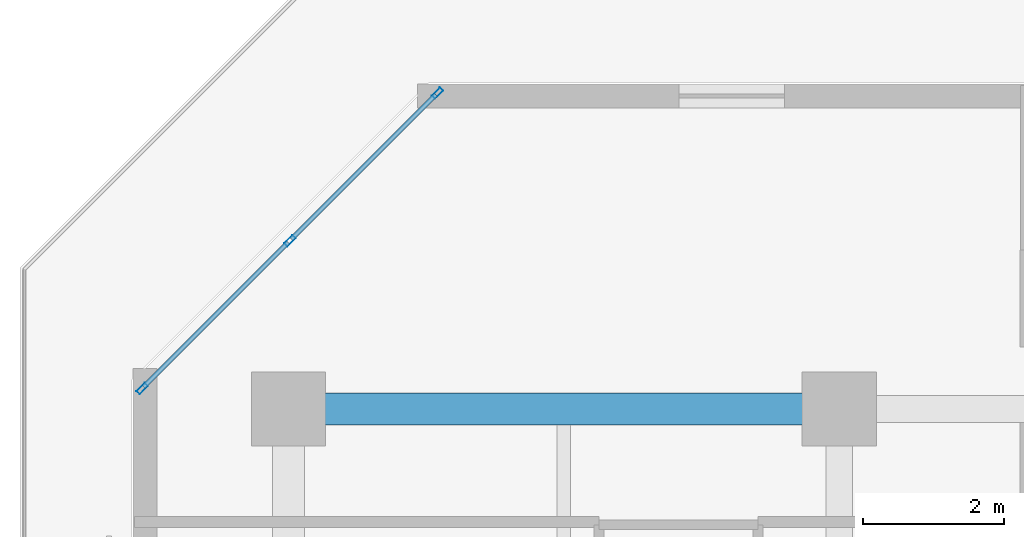
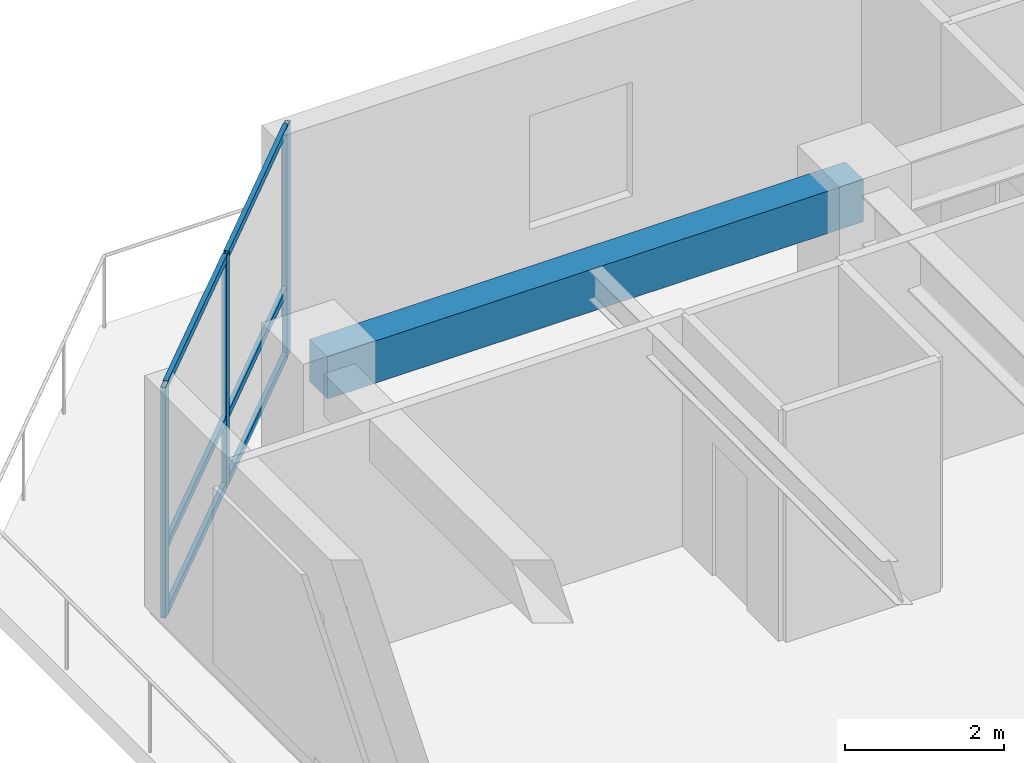
# One storey, part 3 of 11: 9 members, 1 beam, 1 element without a shape of its own.
"""IFC4 building model written with IfcOpenShell, lengths in metres."""

from ifc_helpers import new_model, si_unit, direction, frame, origin, origin_2d, place, context, subcontext, project, spatial, rectangle, hollow_rectangle, extrude, material, layer, layer_set, material_profile, profile_set, type_object, element, aggregate, save


model = new_model("IFC4")

# Units and contexts
model_context = context("Model", 3, precision=1e-05, world=origin(), true_north=direction((0.0, 1.0)))
body_context = subcontext(model_context, "Body", "Model", "MODEL_VIEW")
ifc_project = project(units=[si_unit("LENGTHUNIT", "METRE"), si_unit("AREAUNIT", "SQUARE_METRE"), si_unit("VOLUMEUNIT", "CUBIC_METRE"), si_unit("PLANEANGLEUNIT", "RADIAN"), si_unit("MASSUNIT", "GRAM", prefix="KILO")], contexts=[model_context])

# Site, building, storey
site_placement = place(None, origin())
site = spatial("IfcSite", under=ifc_project, at=site_placement, CompositionType="ELEMENT")
building_placement = place(site_placement, origin())
building = spatial("IfcBuilding", under=site, at=building_placement, Name="Kestravale Grand Hotel", CompositionType="ELEMENT")
storey_placement = place(building_placement, frame((0.0, 0.0, 134.60009765625)))
storey = spatial("IfcBuildingStorey", under=building, at=storey_placement, Name="L33", CompositionType="ELEMENT", Elevation=134.60009765625)

# Beam
ifc_material_1 = material(Name="Concrete f'c 45 MPa", Category="concrete")
ifc_material_profile_1 = material_profile(ifc_material_1, rectangle(XDim=0.449951171875, YDim=0.64990234375, at=origin_2d()))
ifc_profile_set_1 = profile_set([ifc_material_profile_1], Name="Concrete f'c 45 MPa")
beam_type = type_object("IfcBeamType", Name="B-FLR-RC650", PredefinedType="SPANDREL", material=ifc_profile_set_1)
beam_placement = place(storey_placement, frame((7.800048828125, 38.39990234375, 3.224853515625), z_axis=(1.0, 0.0, 0.0), x_axis=(0.0, 1.0, 0.0)))
element("IfcBeam", 1, at=beam_placement, inside=storey, type_object=beam_type, Name="L33 spandrel F:2-3", PredefinedType="SPANDREL", context=body_context, shape_type="SweptSolid", body=[
    extrude(rectangle(XDim=0.449951171875, YDim=0.64990234375, at=origin_2d()), origin(), (0.0, 0.0, 1.0), 7.800048828125),
])

# Curtain wall, members
ifc_material_2 = material(Name="Thermally broken champagne-bronze aluminium and low-E glazing", Category="aluminium")
ifc_layer = layer(ifc_material_2, 0.179931640625)
ifc_layer_set = layer_set([ifc_layer], Name="CW-Z3")
curtain_wall_type = type_object("IfcCurtainWallType", Name="CW-Z3", PredefinedType="NOTDEFINED", material=ifc_layer_set)
curtain_wall_placement = place(storey_placement, origin())
curtain_wall = element("IfcCurtainWall", 2, at=curtain_wall_placement, inside=storey, type_object=curtain_wall_type, Name="L33 unitised curtain wall 18", PredefinedType="NOTDEFINED")
ifc_material_3 = material(Name="Aluminium 6063-T6 anodised", Category="aluminium")
ifc_material_profile_2 = material_profile(ifc_material_3, hollow_rectangle(XDim=0.06494140625, YDim=0.1650390625, WallThickness=0.00341796875, at=origin_2d()))
ifc_profile_set_2 = profile_set([ifc_material_profile_2], Name="Aluminium 6063-T6 anodised")
member_type_1 = type_object("IfcMemberType", Name="CW-MUL-165", PredefinedType="MULLION", material=ifc_profile_set_2)
member_1_placement = place(storey_placement, frame((9.911376953125, 42.87109375, 0.0), z_axis=(0.0, 0.0, 1.0), x_axis=(0.707106781187, -0.707106781187, 0.0)))
member_1 = element("IfcMember", 3, at=member_1_placement, type_object=member_type_1, Name="CW-Z3 mullion 1", PredefinedType="MULLION", context=body_context, shape_type="SweptSolid", body=[
    extrude(hollow_rectangle(XDim=0.06494140625, YDim=0.1650390625, WallThickness=0.00341796875, at=origin_2d()), origin(), (0.0, 0.0, 1.0), 3.5498046875),
])
member_2_placement = place(storey_placement, frame((7.8203125, 40.77978515625, 0.0), z_axis=(0.0, 0.0, 1.0), x_axis=(0.707106781187, -0.707106781187, 0.0)))
member_2 = element("IfcMember", 4, at=member_2_placement, type_object=member_type_1, Name="CW-Z3 mullion 2", PredefinedType="MULLION", context=body_context, shape_type="SweptSolid", body=[
    extrude(hollow_rectangle(XDim=0.06494140625, YDim=0.1650390625, WallThickness=0.00341796875, at=origin_2d()), origin(), (0.0, 0.0, 1.0), 3.5498046875),
])
member_3_placement = place(storey_placement, frame((5.72900390625, 38.6884765625, 0.0), z_axis=(0.0, 0.0, 1.0), x_axis=(0.707106781187, -0.707106781187, 0.0)))
member_3 = element("IfcMember", 5, at=member_3_placement, type_object=member_type_1, Name="CW-Z3 mullion 3", PredefinedType="MULLION", context=body_context, shape_type="SweptSolid", body=[
    extrude(hollow_rectangle(XDim=0.06494140625, YDim=0.1650390625, WallThickness=0.00341796875, at=origin_2d()), origin(), (0.0, 0.0, 1.0), 3.5498046875),
])
ifc_material_4 = material(Name="Aluminium 6063-T6 anodised", Category="aluminium")
ifc_material_profile_3 = material_profile(ifc_material_4, hollow_rectangle(XDim=0.06494140625, YDim=0.114990234375, WallThickness=0.003173828125, at=origin_2d()))
ifc_profile_set_3 = profile_set([ifc_material_profile_3], Name="Aluminium 6063-T6 anodised")
member_type_2 = type_object("IfcMemberType", Name="CW-TRN-115", PredefinedType="USERDEFINED", material=ifc_profile_set_3)
member_4_placement = place(storey_placement, frame((9.888427734375, 42.84814453125, 0.032470703125), z_axis=(-0.707064577195, -0.707148982659, 0.0), x_axis=(0.707148982659, -0.707064577195, 0.0)))
member_4 = element("IfcMember", 6, at=member_4_placement, type_object=member_type_2, Name="CW-Z3 transom 1.1", ObjectType="TRANSOM", PredefinedType="USERDEFINED", context=body_context, shape_type="SweptSolid", body=[
    extrude(hollow_rectangle(XDim=0.06494140625, YDim=0.114990234375, WallThickness=0.003173828125, at=origin_2d()), origin(), (0.0, 0.0, 1.0), 2.892578125),
])
member_5_placement = place(storey_placement, frame((9.888427734375, 42.84814453125, 1.0498046875), z_axis=(-0.707064577195, -0.707148982659, 0.0), x_axis=(0.707148982659, -0.707064577195, 0.0)))
member_5 = element("IfcMember", 7, at=member_5_placement, type_object=member_type_2, Name="CW-Z3 transom 1.2", ObjectType="TRANSOM", PredefinedType="USERDEFINED", context=body_context, shape_type="SweptSolid", body=[
    extrude(hollow_rectangle(XDim=0.06494140625, YDim=0.114990234375, WallThickness=0.003173828125, at=origin_2d()), origin(), (0.0, 0.0, 1.0), 2.892578125),
])
member_6_placement = place(storey_placement, frame((9.888427734375, 42.84814453125, 3.517333984375), z_axis=(-0.707064577195, -0.707148982659, 0.0), x_axis=(0.707148982659, -0.707064577195, 0.0)))
member_6 = element("IfcMember", 8, at=member_6_placement, type_object=member_type_2, Name="CW-Z3 transom 1.3", ObjectType="TRANSOM", PredefinedType="USERDEFINED", context=body_context, shape_type="SweptSolid", body=[
    extrude(hollow_rectangle(XDim=0.06494140625, YDim=0.114990234375, WallThickness=0.003173828125, at=origin_2d()), origin(), (0.0, 0.0, 1.0), 2.892578125),
])
member_7_placement = place(storey_placement, frame((7.797119140625, 40.7568359375, 0.032470703125), z_axis=(-0.707106781187, -0.707106781187, 0.0), x_axis=(0.707106781187, -0.707106781187, 0.0)))
member_7 = element("IfcMember", 9, at=member_7_placement, type_object=member_type_2, Name="CW-Z3 transom 2.1", ObjectType="TRANSOM", PredefinedType="USERDEFINED", context=body_context, shape_type="SweptSolid", body=[
    extrude(hollow_rectangle(XDim=0.06494140625, YDim=0.114990234375, WallThickness=0.003173828125, at=origin_2d()), origin(), (0.0, 0.0, 1.0), 2.892333984375),
])
member_8_placement = place(storey_placement, frame((7.797119140625, 40.7568359375, 1.0498046875), z_axis=(-0.707106781187, -0.707106781187, 0.0), x_axis=(0.707106781187, -0.707106781187, 0.0)))
member_8 = element("IfcMember", 10, at=member_8_placement, type_object=member_type_2, Name="CW-Z3 transom 2.2", ObjectType="TRANSOM", PredefinedType="USERDEFINED", context=body_context, shape_type="SweptSolid", body=[
    extrude(hollow_rectangle(XDim=0.06494140625, YDim=0.114990234375, WallThickness=0.003173828125, at=origin_2d()), origin(), (0.0, 0.0, 1.0), 2.892333984375),
])
member_9_placement = place(storey_placement, frame((7.797119140625, 40.7568359375, 3.517333984375), z_axis=(-0.707106781187, -0.707106781187, 0.0), x_axis=(0.707106781187, -0.707106781187, 0.0)))
member_9 = element("IfcMember", 11, at=member_9_placement, type_object=member_type_2, Name="CW-Z3 transom 2.3", ObjectType="TRANSOM", PredefinedType="USERDEFINED", context=body_context, shape_type="SweptSolid", body=[
    extrude(hollow_rectangle(XDim=0.06494140625, YDim=0.114990234375, WallThickness=0.003173828125, at=origin_2d()), origin(), (0.0, 0.0, 1.0), 2.892333984375),
])
aggregate(curtain_wall, [member_1, member_2, member_3, member_4, member_5, member_6, member_7, member_8, member_9])

save(model, "model.ifc")
